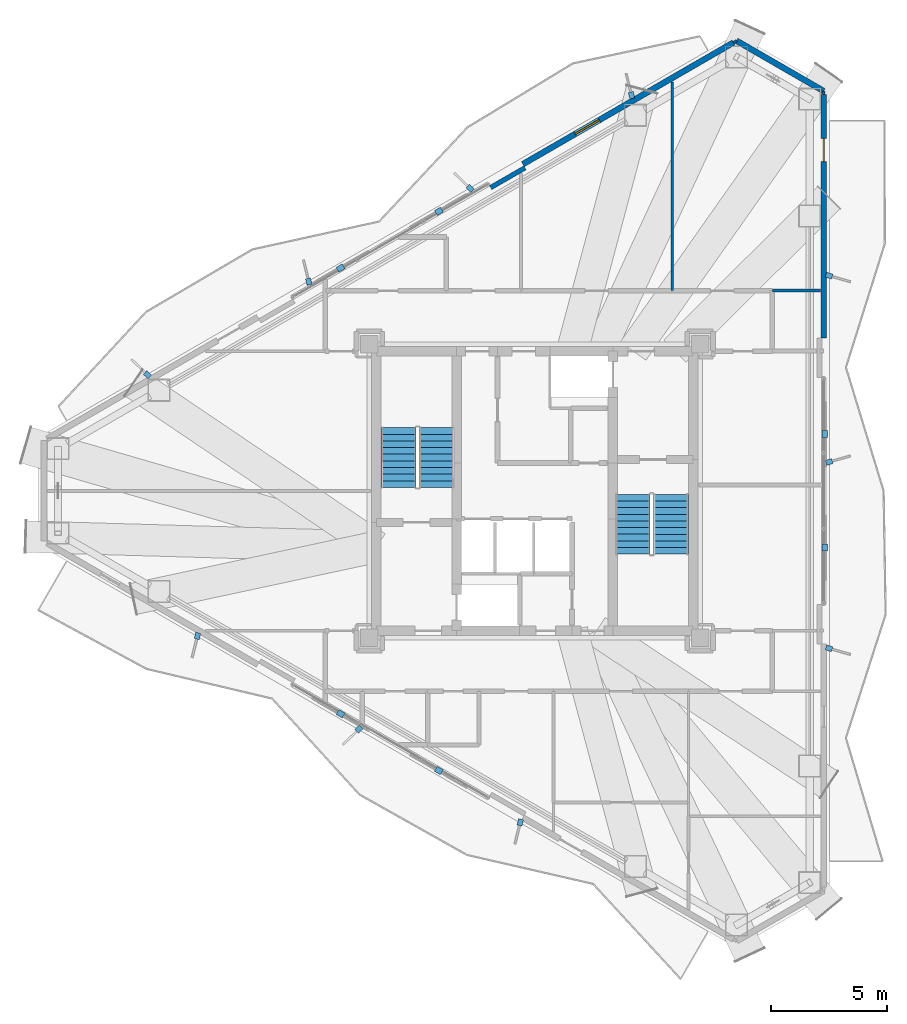
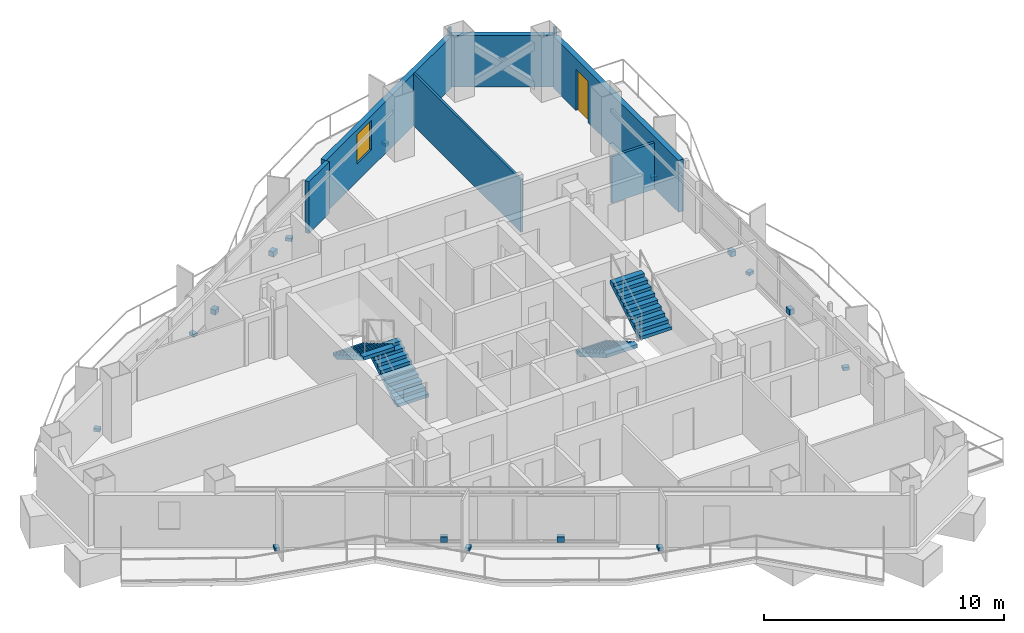
# One storey, part 20 of 22: 16 discrete accessories, 8 walls, 4 stair flights, 1 door, 1 window, 2 openings, 2 elements without a shape of their own.
"""IFC4 building model written with IfcOpenShell, lengths in metres."""

import ifcopenshell
import ifcopenshell.guid

model = None  # the IFC model being written
_history = None  # IfcOwnerHistory: only IFC2X3 demands one
_inside = {}  # id of a spatial element -> (the spatial element, [elements in it])
_under = {}  # id of a project, library or spatial element -> (it, [spatial elements below it])
_declared = {}  # id of a project -> (the project, [libraries it declares])
_typed = {}  # id of a type object -> (the type object, [elements of that type])
_made_of = {}  # id of a material, layer set ... -> (it, [elements and type objects made of it])


def new_model(schema):
    """Start an empty IFC model of exactly this schema.

    Asked for "IFC4X3", IfcOpenShell would pick the latest addendum, in which some entities
    have other attributes; the version numbers below select the first issue.
    IFC2X3 requires an IfcOwnerHistory on every rooted entity: one is made here for all.
    """
    global model, _history
    if schema == "IFC4X3":
        model = ifcopenshell.file(schema_version=(4, 3, 0, 0))
    else:
        model = ifcopenshell.file(schema=schema)
    _inside.clear()
    _under.clear()
    _declared.clear()
    _typed.clear()
    _made_of.clear()
    _history = None
    if model.schema == "IFC2X3":
        org = make("IfcOrganization", Name="unknown")
        user = make(
            "IfcPersonAndOrganization",
            ThePerson=make("IfcPerson", FamilyName="unknown"),
            TheOrganization=org,
        )
        app = make(
            "IfcApplication",
            ApplicationDeveloper=org,
            Version="unknown",
            ApplicationFullName="unknown",
            ApplicationIdentifier="unknown",
        )
        _history = make(
            "IfcOwnerHistory",
            OwningUser=user,
            OwningApplication=app,
            ChangeAction="ADDED",
            CreationDate=0,
        )
    return model


def make(cls, **values):
    """One entity of the class cls with the attributes given. An attribute that is None is left unset."""
    return model.create_entity(
        cls, **{name: value for name, value in values.items() if value is not None}
    )


def rooted(cls, **values):
    """An entity with a GlobalId (a new one), such as an element, a storey or a relation."""
    return make(cls, GlobalId=ifcopenshell.guid.new(), OwnerHistory=_history, **values)


def si_unit(unit_type, name, prefix=None):
    """IfcSIUnit, for example si_unit("LENGTHUNIT", "METRE", prefix="MILLI")."""
    return make("IfcSIUnit", UnitType=unit_type, Prefix=prefix, Name=name)


def assignment(units):
    """IfcUnitAssignment: the units of a project."""
    return None if units is None else make("IfcUnitAssignment", Units=units)


def point(xyz):
    """IfcCartesianPoint."""
    return None if xyz is None else make("IfcCartesianPoint", Coordinates=xyz)


def direction(xyz):
    """IfcDirection."""
    return None if xyz is None else make("IfcDirection", DirectionRatios=xyz)


def frame(location, z_axis=None, x_axis=None):
    """IfcAxis2Placement3D, a coordinate frame: its origin and axes. An axis left out is left unset."""
    return make(
        "IfcAxis2Placement3D",
        Location=point(location),
        Axis=direction(z_axis),
        RefDirection=direction(x_axis),
    )


def frame_2d(location, x_axis=None):
    """IfcAxis2Placement2D, a coordinate frame in the plane: its origin and x axis."""
    return make(
        "IfcAxis2Placement2D", Location=point(location), RefDirection=direction(x_axis)
    )


def origin():
    """The frame at (0, 0, 0) with its axes left unset."""
    return frame((0.0, 0.0, 0.0))


def origin_2d():
    """The frame at (0, 0) in the plane with its x axis left unset."""
    return frame_2d((0.0, 0.0))


def place(relative_to, where):
    """IfcLocalPlacement: puts the frame where relative to a parent placement (None: the world)."""
    return make(
        "IfcLocalPlacement", PlacementRelTo=relative_to, RelativePlacement=where
    )


def context(
    kind, dimensions, precision=None, world=None, true_north=None, identifier=None
):
    """IfcGeometricRepresentationContext, for example the 3D "Model" context."""
    return make(
        "IfcGeometricRepresentationContext",
        ContextIdentifier=identifier,
        ContextType=kind,
        CoordinateSpaceDimension=dimensions,
        Precision=precision,
        WorldCoordinateSystem=world,
        TrueNorth=true_north,
    )


def subcontext(parent, identifier, kind, view, scale=None):
    """IfcGeometricRepresentationSubContext, for example "Body" below "Model"."""
    return make(
        "IfcGeometricRepresentationSubContext",
        ContextIdentifier=identifier,
        ContextType=kind,
        ParentContext=parent,
        TargetScale=scale,
        TargetView=view,
    )


def project(units=None, contexts=None):
    """IfcProject with its units and contexts."""
    return rooted(
        "IfcProject",
        Name="project",
        RepresentationContexts=contexts,
        UnitsInContext=assignment(units),
    )


def spatial(cls, under=None, at=None, **own):
    """A site, building, storey or space (cls), placed at a placement, below another one or the project."""
    s = rooted(cls, ObjectPlacement=at, **own)
    if under is not None:
        _under.setdefault(under.id(), (under, []))[1].append(s)
    return s


def polyline(points):
    """IfcPolyline through the points."""
    return make("IfcPolyline", Points=[point(p) for p in points])


def profile(cls, at=None, kind="AREA", **sizes):
    """A parametric profile (cls). Its sizes go by their IFC names, for example OverallWidth=200.0."""
    return make(cls, ProfileType=kind, Position=at, **sizes)


def rectangle(**sizes):
    """IfcRectangleProfileDef."""
    return profile("IfcRectangleProfileDef", **sizes)


def outline(outer, holes=None, kind="AREA"):
    """IfcArbitraryClosedProfileDef: a profile drawn as a closed curve; with holes, ...WithVoids."""
    if holes is None:
        return make("IfcArbitraryClosedProfileDef", ProfileType=kind, OuterCurve=outer)
    return make(
        "IfcArbitraryProfileDefWithVoids",
        ProfileType=kind,
        OuterCurve=outer,
        InnerCurves=holes,
    )


def extrude(swept, where, along, depth):
    """IfcExtrudedAreaSolid: the profile swept, set in the frame where, extruded along a direction by depth."""
    return make(
        "IfcExtrudedAreaSolid",
        SweptArea=swept,
        Position=where,
        ExtrudedDirection=direction(along),
        Depth=depth,
    )


def shape(context_of_items, identifier, shape_type, items):
    """IfcShapeRepresentation: the items that make up one representation, for example the "Body"."""
    return make(
        "IfcShapeRepresentation",
        ContextOfItems=context_of_items,
        RepresentationIdentifier=identifier,
        RepresentationType=shape_type,
        Items=items,
    )


def material(Name=None, Category=None):
    """IfcMaterial."""
    return make("IfcMaterial", Name=Name, Category=Category)


def layer(
    of_material, thickness, ventilated=None, Name=None, Category=None, Priority=None
):
    """IfcMaterialLayer: one layer of a wall or slab, of a material (None: an air gap)."""
    return make(
        "IfcMaterialLayer",
        Material=of_material,
        LayerThickness=thickness,
        IsVentilated=ventilated,
        Name=Name,
        Category=Category,
        Priority=Priority,
    )


def layer_set(layers, Name=None):
    """IfcMaterialLayerSet."""
    return make("IfcMaterialLayerSet", MaterialLayers=layers, LayerSetName=Name)


def made_of(thing, what):
    """Note that an element or type object is made of a material, layer set ...; save() writes the relation."""
    if what is not None:
        _made_of.setdefault(what.id(), (what, []))[1].append(thing)
    return thing


def type_object(cls, material=None, **own):
    """A type object (cls), such as IfcWallType, which elements share."""
    return made_of(rooted(cls, **own), material)


def element(
    cls,
    number,
    at=None,
    inside=None,
    cuts=None,
    type_object=None,
    material=None,
    context=None,
    identifier="Body",
    shape_type=None,
    held_by="IfcProductDefinitionShape",
    body=None,
    shapes=None,
    **own,
):
    """One element of the class cls, such as IfcWall. Its Tag is "e" and its number.

    at: its placement. inside: the storey or other place that contains it. cuts: it is an
    opening in that element (IfcRelVoidsElement). A single representation is given by context,
    identifier, shape_type and body (its items); several are given by shapes. held_by: the class
    of the entity that holds the representations. save() writes the other relations.
    """
    e = rooted(cls, Tag="e%d" % number, ObjectPlacement=at, **own)
    if body is not None:
        shapes = [shape(context, identifier, shape_type, body)]
    if shapes is not None:
        e.Representation = make(held_by, Representations=shapes)
    if inside is not None:
        _inside.setdefault(inside.id(), (inside, []))[1].append(e)
    if cuts is not None:
        rooted(
            "IfcRelVoidsElement", RelatingBuildingElement=cuts, RelatedOpeningElement=e
        )
    if type_object is not None:
        _typed.setdefault(type_object.id(), (type_object, []))[1].append(e)
    return made_of(e, material)


def fill(opening, filler):
    """IfcRelFillsElement: the door or window that sits in an opening."""
    return rooted(
        "IfcRelFillsElement",
        RelatingOpeningElement=opening,
        RelatedBuildingElement=filler,
    )


def aggregate(whole, parts):
    """IfcRelAggregates: a whole, such as a stair, and the parts it consists of."""
    return rooted("IfcRelAggregates", RelatingObject=whole, RelatedObjects=parts)


def save(model, path):
    """Write the relations noted so far, then the file.

    IfcRelAggregates (storeys below a building ...), IfcRelContainedInSpatialStructure (elements
    in a storey), IfcRelDefinesByType, IfcRelAssociatesMaterial and IfcRelDeclares: one each for
    every whole, place, type object, material and project.
    """
    for whole, parts in _under.values():
        aggregate(whole, parts)
    for where, things in _inside.values():
        rooted(
            "IfcRelContainedInSpatialStructure",
            RelatedElements=things,
            RelatingStructure=where,
        )
    for kind, things in _typed.values():
        rooted("IfcRelDefinesByType", RelatedObjects=things, RelatingType=kind)
    for what, things in _made_of.values():
        rooted("IfcRelAssociatesMaterial", RelatedObjects=things, RelatingMaterial=what)
    for by, libraries in _declared.values():
        rooted("IfcRelDeclares", RelatingContext=by, RelatedDefinitions=libraries)
    model.write(path)


model = new_model("IFC4")

# Units and contexts
model_context = context("Model", 3, precision=1e-05, world=origin(), true_north=direction((0.0, 1.0)))
body_context = subcontext(model_context, "Body", "Model", "MODEL_VIEW")
ifc_project = project(units=[si_unit("LENGTHUNIT", "METRE"), si_unit("AREAUNIT", "SQUARE_METRE"), si_unit("VOLUMEUNIT", "CUBIC_METRE"), si_unit("PLANEANGLEUNIT", "RADIAN"), si_unit("MASSUNIT", "GRAM", prefix="KILO")], contexts=[model_context])

# Site, building, storey
site_placement = place(None, origin())
site = spatial("IfcSite", under=ifc_project, at=site_placement, CompositionType="ELEMENT")
building_placement = place(site_placement, origin())
building = spatial("IfcBuilding", under=site, at=building_placement, Name="Mersakhor Tower and Convention Hall", CompositionType="ELEMENT")
storey_placement = place(building_placement, frame((0.0, 0.0, 167.39990234375)))
storey = spatial("IfcBuildingStorey", under=building, at=storey_placement, Name="L46", CompositionType="ELEMENT", Elevation=167.39990234375)

# Wall
ifc_material_1 = material(Name="Precast concrete C40/50", Category="concrete")
ifc_layer_1 = layer(ifc_material_1, 0.25)
ifc_layer_set_1 = layer_set([ifc_layer_1], Name="Precast concrete C40/50")
wall_type_1 = type_object("IfcWallType", Name="WL-EXT-250", PredefinedType="SOLIDWALL", material=ifc_layer_set_1)
wall_1_placement = place(storey_placement, frame((37.662353515625, 46.07373046875, 0.0), z_axis=(0.0, 0.0, 1.0), x_axis=(0.866047252008, -0.499962155857, 0.0)))
element("IfcWall", 1, at=wall_1_placement, inside=storey, type_object=wall_type_1, Name="L46 Chamfer Braced Spandrel Wall C1", PredefinedType="SOLIDWALL", context=body_context, shape_type="SweptSolid", body=[
    extrude(rectangle(XDim=4.320068359375, YDim=0.25, at=frame_2d((2.16015625, 0.0))), origin(), (0.0, 0.0, 1.0), 2.64013671875),
])

# Wall, opening, window
wall_2_placement = place(storey_placement, frame((28.489013671875, 40.777587890625, 0.0), z_axis=(0.0, 0.0, 1.0), x_axis=(0.866027516296, 0.499996341005, 0.0)))
wall_2 = element("IfcWall", 2, at=wall_2_placement, inside=storey, type_object=wall_type_1, Name="L46 Exterior Facade Wall F1-B3", PredefinedType="SOLIDWALL", context=body_context, shape_type="SweptSolid", body=[
    extrude(rectangle(XDim=10.4423828125, YDim=0.25, at=frame_2d((5.22119140625, 0.0))), origin(), (0.0, 0.0, 1.0), 2.64013671875),
])
opening_1_placement = place(wall_2_placement, frame((2.587890625, 0.0, 0.89990234375)))
opening_1 = element("IfcOpeningElement", 3, at=opening_1_placement, cuts=wall_2, Name="Opening W-01", PredefinedType="OPENING", context=body_context, shape_type="SweptSolid", body=[
    extrude(rectangle(XDim=1.199951171875, YDim=1.5, at=frame_2d((0.60009765625, 0.75))), frame((0.0, 0.135009765625, 0.0), z_axis=(0.0, -1.0, 0.0), x_axis=(1.0, 0.0, 0.0)), (0.0, 0.0, 1.0), 0.27001953125),
])
ifc_material_2 = material(Name="Dark solar low-E glazed aluminium window", Category="aluminium")
window_type = type_object("IfcWindowType", Name="WN-RES-120x150", PartitioningType="SINGLE_PANEL", PredefinedType="WINDOW", material=ifc_material_2)
window_placement = place(opening_1_placement, origin())
window = element("IfcWindow", 4, at=window_placement, inside=storey, type_object=window_type, Name="L46 Facade Punched Window F1-B3", OverallHeight=1.5, OverallWidth=1.199951171875, PartitioningType="SINGLE_PANEL", PredefinedType="WINDOW", context=body_context, shape_type="SweptSolid", body=[
    extrude(rectangle(XDim=1.199951171875, YDim=1.5, at=frame_2d((0.60009765625, 0.75))), frame((0.0, 0.030029296875, 0.0), z_axis=(0.0, -1.0, 0.0), x_axis=(1.0, 0.0, 0.0)), (0.0, 0.0, 1.0), 0.06005859375),
])
fill(opening_1, window)

# Wall, opening, door
wall_3_placement = place(storey_placement, frame((41.40380859375, 43.763671875, 0.0), z_axis=(0.0, 0.0, 1.0), x_axis=(0.0, -1.0, 0.0)))
wall_3 = element("IfcWall", 5, at=wall_3_placement, inside=storey, type_object=wall_type_1, Name="L46 Exterior Facade Wall F2-B1", PredefinedType="SOLIDWALL", context=body_context, shape_type="SweptSolid", body=[
    extrude(rectangle(XDim=10.4423828125, YDim=0.25, at=frame_2d((5.22119140625, 0.0))), origin(), (0.0, 0.0, 1.0), 2.64013671875),
])
opening_2_placement = place(wall_3_placement, frame((1.87890625, 0.0, 0.0)))
opening_2 = element("IfcOpeningElement", 6, at=opening_2_placement, cuts=wall_3, Name="Opening BD-01", PredefinedType="OPENING", context=body_context, shape_type="SweptSolid", body=[
    extrude(rectangle(XDim=1.0, YDim=2.10009765625, at=frame_2d((0.5, 1.050048828125))), frame((0.0, 0.135009765625, 0.0), z_axis=(0.0, -1.0, 0.0), x_axis=(1.0, 0.0, 0.0)), (0.0, 0.0, 1.0), 0.27001953125),
])
ifc_material_3 = material(Name="Thermally broken dark aluminium and safety glass", Category="aluminium")
door_type = type_object("IfcDoorType", Name="DR-BAL-100x210", OperationType="NOTDEFINED", PredefinedType="DOOR", material=ifc_material_3)
door_placement = place(opening_2_placement, origin())
door = element("IfcDoor", 7, at=door_placement, inside=storey, type_object=door_type, Name="L46 Balcony Terrace Door F2-B1", OperationType="SINGLE_SWING_LEFT", OverallHeight=2.10009765625, OverallWidth=1.0, PredefinedType="DOOR", context=body_context, shape_type="SweptSolid", body=[
    extrude(rectangle(XDim=1.0, YDim=2.10009765625, at=frame_2d((0.5, 1.050048828125))), frame((0.0, 0.02490234375, 0.0), z_axis=(0.0, -1.0, 0.0), x_axis=(1.0, 0.0, 0.0)), (0.0, 0.0, 1.0), 0.050048828125),
])
fill(opening_2, door)

# Walls
ifc_material_4 = material(Name="Precast concrete C40/50", Category="concrete")
ifc_layer_2 = layer(ifc_material_4, 0.199951171875)
ifc_layer_set_2 = layer_set([ifc_layer_2], Name="Precast concrete C40/50")
wall_type_2 = type_object("IfcWallType", Name="WL-PAR-200", PredefinedType="PARAPET", material=ifc_layer_set_2)
wall_4_placement = place(storey_placement, frame((27.106689453125, 39.771728515625, 0.0), z_axis=(0.0, 0.0, 1.0), x_axis=(0.866087547558, 0.499892348375, 0.0)))
element("IfcWall", 8, at=wall_4_placement, inside=storey, type_object=wall_type_2, Name="L46 Column Pier Cladding Wall F1-C2", PredefinedType="PARAPET", context=body_context, shape_type="SweptSolid", body=[
    extrude(rectangle(XDim=1.699951171875, YDim=0.199951171875, at=frame_2d((0.85009765625, 0.0))), origin(), (0.0, 0.0, 1.0), 2.64013671875),
])
ifc_material_5 = material(Name="Lightweight gypsum partition", Category="other")
ifc_layer_3 = layer(ifc_material_5, 0.10009765625)
ifc_layer_set_3 = layer_set([ifc_layer_3], Name="Lightweight gypsum partition")
wall_type_3 = type_object("IfcWallType", Name="WL-PRT-100", PredefinedType="PARTITIONING", material=ifc_layer_set_3)
wall_5_placement = place(storey_placement, frame((34.89990234375, 44.306884765625, 0.0), z_axis=(0.0, 0.0, 1.0), x_axis=(0.0, -1.0, 0.0)))
element("IfcWall", 9, at=wall_5_placement, inside=storey, type_object=wall_type_3, Name="L46 Interior Partition Wall P-080", PredefinedType="PARTITIONING", context=body_context, shape_type="SweptSolid", body=[
    extrude(rectangle(XDim=8.956787109375, YDim=0.10009765625, at=frame_2d((4.478515625, 0.0))), origin(), (0.0, 0.0, 1.0), 2.6845703125),
])
wall_6_placement = place(storey_placement, frame((37.5322265625, 45.9990234375, 0.0), z_axis=(0.0, 0.0, 1.0), x_axis=(0.866131372301, 0.499816412211, 0.0)))
element("IfcWall", 10, at=wall_6_placement, inside=storey, type_object=wall_type_3, Name="L46 Interior Partition Wall P-082", PredefinedType="PARTITIONING", context=body_context, shape_type="SweptSolid", body=[
    extrude(rectangle(XDim=0.14990234375, YDim=0.10009765625, at=frame_2d((0.074951171875, 0.0))), origin(), (0.0, 0.0, 1.0), 3.02001953125),
])
ifc_material_6 = material(Name="Gypsum board acoustic partition", Category="other")
ifc_layer_4 = layer(ifc_material_6, 0.125)
ifc_layer_set_4 = layer_set([ifc_layer_4], Name="Gypsum board acoustic partition")
wall_type_4 = type_object("IfcWallType", Name="WL-PRT-125", PredefinedType="PARTITIONING", material=ifc_layer_set_4)
wall_7_placement = place(storey_placement, frame((41.2548828125, 35.35009765625, 0.0), z_axis=(0.0, 0.0, 1.0), x_axis=(-1.0, 0.0, 0.0)))
element("IfcWall", 11, at=wall_7_placement, inside=storey, type_object=wall_type_4, Name="L46 Interior Partition Wall P-081", PredefinedType="PARTITIONING", context=body_context, shape_type="SweptSolid", body=[
    extrude(rectangle(XDim=2.054931640625, YDim=0.125, at=frame_2d((1.02734375, 0.0))), origin(), (0.0, 0.0, 1.0), 2.364990234375),
])
wall_8_placement = place(storey_placement, frame((41.404052734375, 43.9140625, 0.0), z_axis=(0.0, 0.0, 1.0), x_axis=(0.0, -1.0, 0.0)))
element("IfcWall", 12, at=wall_8_placement, inside=storey, type_object=wall_type_4, Name="L46 Interior Partition Wall P-083", PredefinedType="PARTITIONING", context=body_context, shape_type="SweptSolid", body=[
    extrude(rectangle(XDim=0.150390625, YDim=0.125, at=frame_2d((0.0751953125, 0.0))), origin(), (0.0, 0.0, 1.0), 3.02001953125),
])

# Stair, stair flights
ifc_material_7 = material(Name="Concrete C45/55", Category="concrete")
stair_type = type_object("IfcStairType", Name="ST-TWR-20R", PredefinedType="HALF_TURN_STAIR", material=ifc_material_7)
stair_1_placement = place(storey_placement, origin())
stair_1 = element("IfcStair", 13, at=stair_1_placement, inside=storey, type_object=stair_type, Name="L46 Tower Protected Exit Stair ST-1", PredefinedType="HALF_TURN_STAIR")
ifc_material_8 = material(Name="Concrete C45/55", Category="concrete")
stair_flight_type = type_object("IfcStairFlightType", Name="SFL-TWR-20R", PredefinedType="STRAIGHT", material=ifc_material_8)
stair_flight_1_placement = place(storey_placement, frame((24.800048828125, 26.89990234375, 0.0), z_axis=(0.0, 0.0, 1.0), x_axis=(0.0, 1.0, 0.0)))
stair_flight_1 = element("IfcStairFlight", 14, at=stair_flight_1_placement, type_object=stair_flight_type, Name="ST-1 flight 1", NumberOfRisers=10, NumberOfTreads=9, PredefinedType="STRAIGHT", RiserHeight=0.165, TreadLength=0.285, context=body_context, shape_type="SweptSolid", body=[
    extrude(outline(polyline([(0.0, 0.0), (0.0, 0.1650390625), (0.284912109375, 0.1650390625), (0.284912109375, 0.330078125), (0.570068359375, 0.330078125), (0.570068359375, 0.4951171875), (0.85498046875, 0.4951171875), (0.85498046875, 0.659912109375), (1.139892578125, 0.659912109375), (1.139892578125, 0.824951171875), (1.425048828125, 0.824951171875), (1.425048828125, 0.989990234375), (1.7099609375, 0.989990234375), (1.7099609375, 1.155029296875), (1.9951171875, 1.155029296875), (1.9951171875, 1.320068359375), (2.280029296875, 1.320068359375), (2.280029296875, 1.485107421875), (2.56494140625, 1.485107421875), (2.56494140625, 1.64990234375), (2.56494140625, 1.311767578125), (0.299072265625, 0.0), (0.0, 0.0)])), frame((0.0, 0.75, 0.0), z_axis=(0.0, -1.0, 0.0), x_axis=(1.0, 0.0, 0.0)), (0.0, 0.0, 1.0), 1.5),
])
stair_flight_2_placement = place(storey_placement, frame((23.14990234375, 29.465087890625, 1.650146484375), z_axis=(0.0, 0.0, 1.0), x_axis=(0.0, -1.0, 0.0)))
stair_flight_2 = element("IfcStairFlight", 15, at=stair_flight_2_placement, type_object=stair_flight_type, Name="ST-1 flight 2", NumberOfRisers=10, NumberOfTreads=9, PredefinedType="STRAIGHT", RiserHeight=0.165, TreadLength=0.285, context=body_context, shape_type="SweptSolid", body=[
    extrude(outline(polyline([(0.0, 0.0), (0.0, 0.1650390625), (0.284912109375, 0.1650390625), (0.284912109375, 0.330078125), (0.570068359375, 0.330078125), (0.570068359375, 0.4951171875), (0.85498046875, 0.4951171875), (0.85498046875, 0.659912109375), (1.139892578125, 0.659912109375), (1.139892578125, 0.824951171875), (1.425048828125, 0.824951171875), (1.425048828125, 0.989990234375), (1.7099609375, 0.989990234375), (1.7099609375, 1.155029296875), (1.9951171875, 1.155029296875), (1.9951171875, 1.320068359375), (2.280029296875, 1.320068359375), (2.280029296875, 1.485107421875), (2.56494140625, 1.485107421875), (2.56494140625, 1.64990234375), (2.56494140625, 1.311767578125), (0.299072265625, 0.0), (0.0, 0.0)])), frame((0.0, 0.75, 0.0), z_axis=(0.0, -1.0, 0.0), x_axis=(1.0, 0.0, 0.0)), (0.0, 0.0, 1.0), 1.5),
])
aggregate(stair_1, [stair_flight_1, stair_flight_2])

stair_2_placement = place(storey_placement, origin())
stair_2 = element("IfcStair", 16, at=stair_2_placement, inside=storey, type_object=stair_type, Name="L46 Tower Protected Exit Stair ST-2", PredefinedType="HALF_TURN_STAIR")
stair_flight_3_placement = place(storey_placement, frame((33.199951171875, 26.60009765625, 0.0), z_axis=(0.0, 0.0, 1.0), x_axis=(0.0, -1.0, 0.0)))
stair_flight_3 = element("IfcStairFlight", 17, at=stair_flight_3_placement, type_object=stair_flight_type, Name="ST-2 flight 1", NumberOfRisers=10, NumberOfTreads=9, PredefinedType="STRAIGHT", RiserHeight=0.165, TreadLength=0.285, context=body_context, shape_type="SweptSolid", body=[
    extrude(outline(polyline([(0.0, 0.0), (0.0, 0.1650390625), (0.284912109375, 0.1650390625), (0.284912109375, 0.330078125), (0.570068359375, 0.330078125), (0.570068359375, 0.4951171875), (0.85498046875, 0.4951171875), (0.85498046875, 0.659912109375), (1.139892578125, 0.659912109375), (1.139892578125, 0.824951171875), (1.425048828125, 0.824951171875), (1.425048828125, 0.989990234375), (1.7099609375, 0.989990234375), (1.7099609375, 1.155029296875), (1.9951171875, 1.155029296875), (1.9951171875, 1.320068359375), (2.280029296875, 1.320068359375), (2.280029296875, 1.485107421875), (2.56494140625, 1.485107421875), (2.56494140625, 1.64990234375), (2.56494140625, 1.311767578125), (0.299072265625, 0.0), (0.0, 0.0)])), frame((0.0, 0.75, 0.0), z_axis=(0.0, -1.0, 0.0), x_axis=(1.0, 0.0, 0.0)), (0.0, 0.0, 1.0), 1.5),
])
stair_flight_4_placement = place(storey_placement, frame((34.85009765625, 24.034912109375, 1.650146484375), z_axis=(0.0, 0.0, 1.0), x_axis=(0.0, 1.0, 0.0)))
stair_flight_4 = element("IfcStairFlight", 18, at=stair_flight_4_placement, type_object=stair_flight_type, Name="ST-2 flight 2", NumberOfRisers=10, NumberOfTreads=9, PredefinedType="STRAIGHT", RiserHeight=0.165, TreadLength=0.285, context=body_context, shape_type="SweptSolid", body=[
    extrude(outline(polyline([(0.0, 0.0), (0.0, 0.1650390625), (0.284912109375, 0.1650390625), (0.284912109375, 0.330078125), (0.570068359375, 0.330078125), (0.570068359375, 0.4951171875), (0.85498046875, 0.4951171875), (0.85498046875, 0.659912109375), (1.139892578125, 0.659912109375), (1.139892578125, 0.824951171875), (1.425048828125, 0.824951171875), (1.425048828125, 0.989990234375), (1.7099609375, 0.989990234375), (1.7099609375, 1.155029296875), (1.9951171875, 1.155029296875), (1.9951171875, 1.320068359375), (2.280029296875, 1.320068359375), (2.280029296875, 1.485107421875), (2.56494140625, 1.485107421875), (2.56494140625, 1.64990234375), (2.56494140625, 1.311767578125), (0.299072265625, 0.0), (0.0, 0.0)])), frame((0.0, 0.75, 0.0), z_axis=(0.0, -1.0, 0.0), x_axis=(1.0, 0.0, 0.0)), (0.0, 0.0, 1.0), 1.5),
])
aggregate(stair_2, [stair_flight_3, stair_flight_4])

# Discrete accessories
ifc_material_9 = material(Name="Galvanised steel bracket", Category="steel")
ifc_layer_5 = layer(ifc_material_9, 0.02001953125)
ifc_layer_set_5 = layer_set([ifc_layer_5], Name="Galvanised steel bracket")
discrete_accessory_type = type_object("IfcDiscreteAccessoryType", Name="ACC-BRK-STL", PredefinedType="BRACKET", material=ifc_layer_set_5)
for number, where, z_axis, x_axis, name in (
    (19, (20.663818359375, 36.3173828125, 0.2900390625), (0.0, 0.0, 1.0), (0.866025403784, 0.5, 0.0), "L46 Solar Screen Outrigger Bracket BRK-1-1"),
    (20, (24.88232421875, 38.753173828125, 0.2900390625), (0.0, 0.0, 1.0), (0.866025403784, 0.5, 0.0), "L46 Solar Screen Outrigger Bracket BRK-1-2"),
):
    element("IfcDiscreteAccessory", number, at=place(storey_placement, frame(where, z_axis=z_axis, x_axis=x_axis)), inside=storey, type_object=discrete_accessory_type, Name=name, PredefinedType="BRACKET", context=body_context, shape_type="SweptSolid", body=[
        extrude(rectangle(XDim=0.300048828125, YDim=0.239990234375, at=origin_2d()), origin(), (0.0, 0.0, 1.0), 0.260009765625),
    ])
for number, where, z_axis, x_axis, name in (
    (21, (12.370361328125, 31.7373046875, -0.02001953125), (0.0, 0.0, 1.0), (-0.719339800339, 0.694658370459, 0.0), "L46 Facade Fin Base Cleat Bracket FBRK-1-1"),
    (22, (19.298583984375, 35.7373046875, -0.02001953125), (0.0, 0.0, 1.0), (-0.2419218956, 0.970295726276, 0.0), "L46 Facade Fin Base Cleat Bracket FBRK-1-2"),
    (23, (26.226806640625, 39.7373046875, -0.02001953125), (0.0, 0.0, 1.0), (-0.719339800339, 0.694658370459, 0.0), "L46 Facade Fin Base Cleat Bracket FBRK-1-3"),
    (24, (33.155029296875, 43.7373046875, -0.02001953125), (0.0, 0.0, 1.0), (-0.2419218956, 0.970295726276, 0.0), "L46 Facade Fin Base Cleat Bracket FBRK-1-4"),
):
    element("IfcDiscreteAccessory", number, at=place(storey_placement, frame(where, z_axis=z_axis, x_axis=x_axis)), inside=storey, type_object=discrete_accessory_type, Name=name, PredefinedType="BRACKET", context=body_context, shape_type="SweptSolid", body=[
        extrude(rectangle(XDim=0.280029296875, YDim=0.219970703125, at=origin_2d()), origin(), (0.0, 0.0, 1.0), 0.159912109375),
    ])
for number, where, z_axis, x_axis, name in (
    (25, (41.453857421875, 29.185546875, 0.2900390625), (0.0, 0.0, 1.0), (0.0, -1.0, 0.0), "L46 Solar Screen Outrigger Bracket BRK-2-1"),
    (26, (41.453857421875, 24.314453125, 0.2900390625), (0.0, 0.0, 1.0), (0.0, -1.0, 0.0), "L46 Solar Screen Outrigger Bracket BRK-2-2"),
):
    element("IfcDiscreteAccessory", number, at=place(storey_placement, frame(where, z_axis=z_axis, x_axis=x_axis)), inside=storey, type_object=discrete_accessory_type, Name=name, PredefinedType="BRACKET", context=body_context, shape_type="SweptSolid", body=[
        extrude(rectangle(XDim=0.300048828125, YDim=0.239990234375, at=origin_2d()), origin(), (0.0, 0.0, 1.0), 0.260009765625),
    ])
for number, where, z_axis, x_axis, name in (
    (27, (41.6337890625, 35.9912109375, -0.02001953125), (0.0, 0.0, 1.0), (0.961261695938, -0.275637355817, 0.0), "L46 Facade Fin Base Cleat Bracket FBRK-2-1"),
    (28, (41.6337890625, 27.9912109375, -0.02001953125), (0.0, 0.0, 1.0), (0.961261695938, 0.275637355817, 0.0), "L46 Facade Fin Base Cleat Bracket FBRK-2-2"),
    (29, (41.6337890625, 19.9912109375, -0.02001953125), (0.0, 0.0, 1.0), (0.961261695938, -0.275637355817, 0.0), "L46 Facade Fin Base Cleat Bracket FBRK-2-3"),
):
    element("IfcDiscreteAccessory", number, at=place(storey_placement, frame(where, z_axis=z_axis, x_axis=x_axis)), inside=storey, type_object=discrete_accessory_type, Name=name, PredefinedType="BRACKET", context=body_context, shape_type="SweptSolid", body=[
        extrude(rectangle(XDim=0.280029296875, YDim=0.219970703125, at=origin_2d()), origin(), (0.0, 0.0, 1.0), 0.159912109375),
    ])
for number, where, z_axis, x_axis, name in (
    (30, (24.88232421875, 14.746826171875, 0.2900390625), (0.0, 0.0, 1.0), (-0.866025403784, 0.5, 0.0), "L46 Solar Screen Outrigger Bracket BRK-3-1"),
    (31, (20.663818359375, 17.1826171875, 0.2900390625), (0.0, 0.0, 1.0), (-0.866025403784, 0.5, 0.0), "L46 Solar Screen Outrigger Bracket BRK-3-2"),
):
    element("IfcDiscreteAccessory", number, at=place(storey_placement, frame(where, z_axis=z_axis, x_axis=x_axis)), inside=storey, type_object=discrete_accessory_type, Name=name, PredefinedType="BRACKET", context=body_context, shape_type="SweptSolid", body=[
        extrude(rectangle(XDim=0.300048828125, YDim=0.239990234375, at=origin_2d()), origin(), (0.0, 0.0, 1.0), 0.260009765625),
    ])
for number, where, z_axis, x_axis, name in (
    (32, (28.376953125, 12.521484375, -0.02001953125), (0.0, 0.0, 1.0), (-0.2419218956, -0.970295726276, 0.0), "L46 Facade Fin Base Cleat Bracket FBRK-3-1"),
    (33, (21.44873046875, 16.521484375, -0.02001953125), (0.0, 0.0, 1.0), (-0.719339800339, -0.694658370459, 0.0), "L46 Facade Fin Base Cleat Bracket FBRK-3-2"),
    (34, (14.5205078125, 20.521484375, -0.02001953125), (0.0, 0.0, 1.0), (-0.2419218956, -0.970295726276, 0.0), "L46 Facade Fin Base Cleat Bracket FBRK-3-3"),
):
    element("IfcDiscreteAccessory", number, at=place(storey_placement, frame(where, z_axis=z_axis, x_axis=x_axis)), inside=storey, type_object=discrete_accessory_type, Name=name, PredefinedType="BRACKET", context=body_context, shape_type="SweptSolid", body=[
        extrude(rectangle(XDim=0.280029296875, YDim=0.219970703125, at=origin_2d()), origin(), (0.0, 0.0, 1.0), 0.159912109375),
    ])

save(model, "model.ifc")
